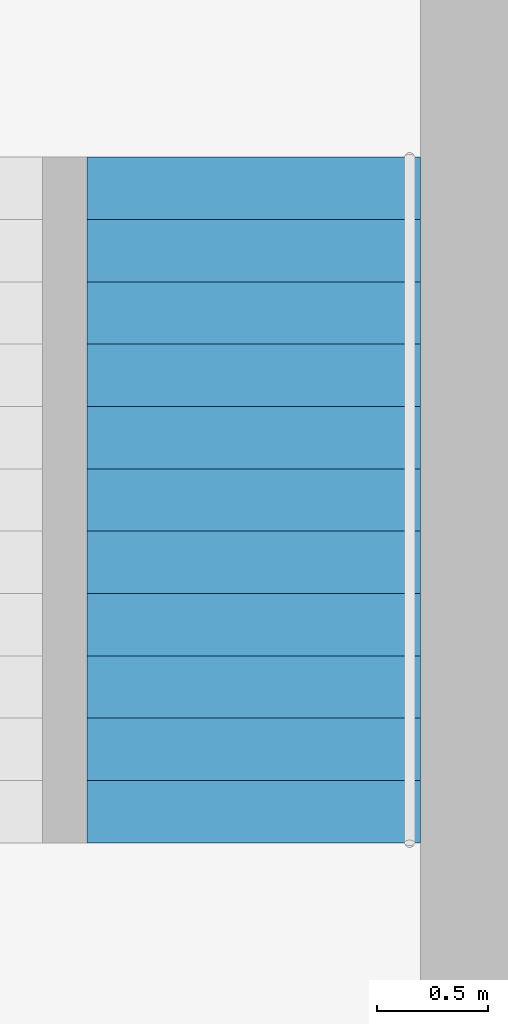
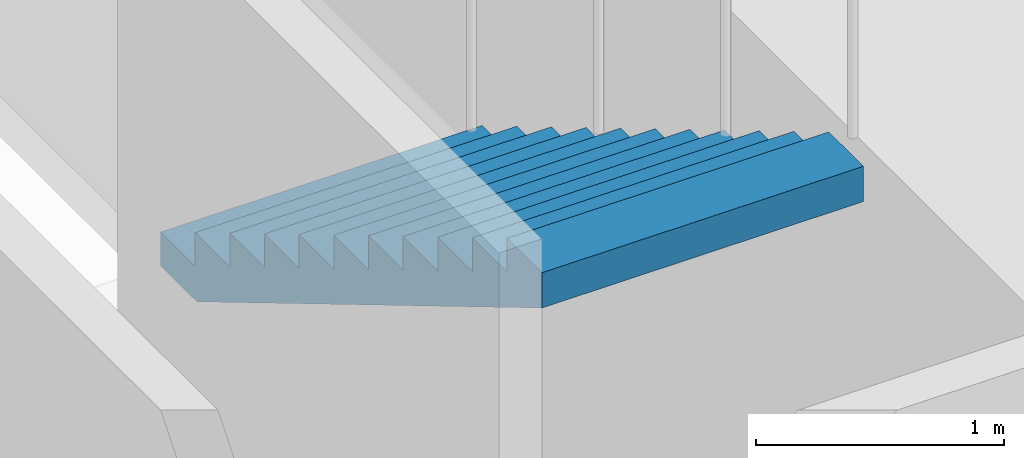
# One storey, part 11 of 14: 1 stair flight, 1 element without a shape of its own.
"""IFC4 building model written with IfcOpenShell, lengths in metres."""

from ifc_helpers import new_model, si_unit, direction, frame, origin, place, context, subcontext, project, spatial, polyline, outline, extrude, material, type_object, element, aggregate, save


model = new_model("IFC4")

# Units and contexts
model_context = context("Model", 3, precision=1e-05, world=origin(), true_north=direction((0.0, 1.0)))
body_context = subcontext(model_context, "Body", "Model", "MODEL_VIEW")
ifc_project = project(units=[si_unit("LENGTHUNIT", "METRE"), si_unit("AREAUNIT", "SQUARE_METRE"), si_unit("VOLUMEUNIT", "CUBIC_METRE"), si_unit("PLANEANGLEUNIT", "RADIAN"), si_unit("MASSUNIT", "GRAM", prefix="KILO")], contexts=[model_context])

# Site, building, storey
site_placement = place(None, origin())
site = spatial("IfcSite", under=ifc_project, at=site_placement, CompositionType="ELEMENT")
building_placement = place(site_placement, origin())
building = spatial("IfcBuilding", under=site, at=building_placement, Name="Svetlomir Tower", CompositionType="ELEMENT")
storey_placement = place(building_placement, frame((0.0, 0.0, 112.5)))
storey = spatial("IfcBuildingStorey", under=building, at=storey_placement, Name="L26", CompositionType="ELEMENT", Elevation=112.5)

# Stair, stair flight
ifc_material_1 = material(Name="Concrete C60/75", Category="concrete")
stair_type = type_object("IfcStairType", Name="EXIT STAIR 3200 RISE 4000", PredefinedType="HALF_TURN_STAIR", material=ifc_material_1)
stair_placement = place(storey_placement, origin())
stair = element("IfcStair", 1, at=stair_placement, inside=storey, type_object=stair_type, Name="Stair S2 L26 to L27", PredefinedType="HALF_TURN_STAIR")
ifc_material_2 = material(Name="Concrete C60/75", Category="concrete")
stair_flight_type = type_object("IfcStairFlightType", Name="STAIR FLIGHT 1500 OF 12 RISERS", PredefinedType="STRAIGHT", material=ifc_material_2)
stair_flight_placement = place(storey_placement, frame((28.64990234375, 25.3798828125, 2.0), z_axis=(0.0, 0.0, 1.0), x_axis=(0.0, -1.0, 0.0)))
stair_flight = element("IfcStairFlight", 2, at=stair_flight_placement, type_object=stair_flight_type, Name="S2 flight 2", NumberOfRisers=12, NumberOfTreads=11, PredefinedType="STRAIGHT", RiserHeight=0.166666667, TreadLength=0.28, context=body_context, shape_type="SweptSolid", body=[
    extrude(outline(polyline([(0.0, 0.0), (0.0, 0.166748046875), (0.280029296875, 0.166748046875), (0.280029296875, 0.333251953125), (0.56005859375, 0.333251953125), (0.56005859375, 0.5), (0.840087890625, 0.5), (0.840087890625, 0.666748046875), (1.1201171875, 0.666748046875), (1.1201171875, 0.833251953125), (1.39990234375, 0.833251953125), (1.39990234375, 1.0), (1.679931640625, 1.0), (1.679931640625, 1.166748046875), (1.9599609375, 1.166748046875), (1.9599609375, 1.333251953125), (2.239990234375, 1.333251953125), (2.239990234375, 1.5), (2.52001953125, 1.5), (2.52001953125, 1.666748046875), (2.800048828125, 1.666748046875), (2.800048828125, 1.833251953125), (3.080078125, 1.833251953125), (3.080078125, 2.0), (3.080078125, 1.658935546875), (0.29296875, 0.0), (0.0, 0.0)])), frame((0.0, 0.75, 0.0), z_axis=(0.0, -1.0, 0.0), x_axis=(1.0, 0.0, 0.0)), (0.0, 0.0, 1.0), 1.5),
])
aggregate(stair, [stair_flight])

save(model, "model.ifc")
